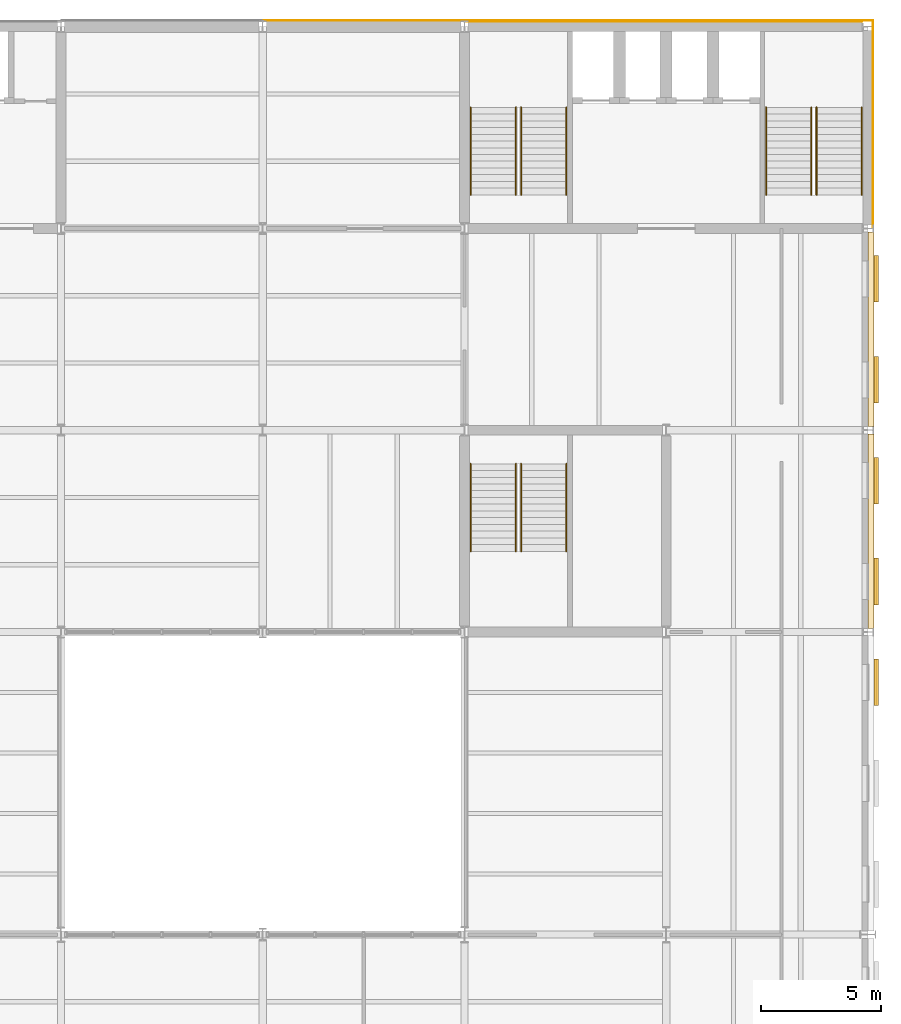
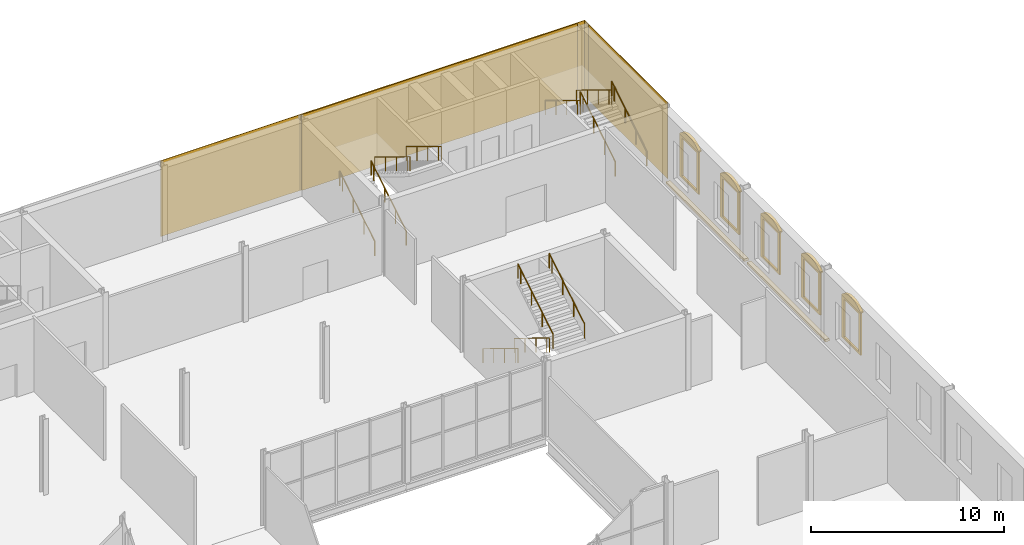
# One storey, part 52 of 57: 17 coverings, 12 railings.
"""IFC4 building model written with IfcOpenShell, lengths in metres."""

from ifc_helpers import new_model, si_unit, direction, frame, origin, origin_2d, place, context, subcontext, project, spatial, polyline, rectangle, circle, outline, extrude, material, layer, layer_set, type_object, element, save


model = new_model("IFC4")

# Units and contexts
model_context = context("Model", 3, precision=1e-05, world=origin(), true_north=direction((0.0, 1.0)))
body_context = subcontext(model_context, "Body", "Model", "MODEL_VIEW")
ifc_project = project(units=[si_unit("LENGTHUNIT", "METRE"), si_unit("AREAUNIT", "SQUARE_METRE"), si_unit("VOLUMEUNIT", "CUBIC_METRE"), si_unit("PLANEANGLEUNIT", "RADIAN"), si_unit("MASSUNIT", "GRAM", prefix="KILO")], contexts=[model_context])

# Site, building, storey
site_placement = place(None, origin())
site = spatial("IfcSite", under=ifc_project, at=site_placement, CompositionType="ELEMENT")
building_placement = place(site_placement, origin())
building = spatial("IfcBuilding", under=site, at=building_placement, Name="Galleria Vessillo Department Store", CompositionType="ELEMENT")
storey_placement = place(building_placement, frame((0.0, 0.0, 21.0)))
storey = spatial("IfcBuildingStorey", under=building, at=storey_placement, Name="L04", CompositionType="ELEMENT", Elevation=21.0)

# Coverings
ifc_material_1 = material(Name="Lime plaster (intonaco) ochre")
ifc_layer_1 = layer(ifc_material_1, 0.030029296875)
ifc_layer_set_1 = layer_set([ifc_layer_1], Name="Lime plaster (intonaco) ochre")
covering_type_1 = type_object("IfcCoveringType", Name="Lime plaster render 30 mm", PredefinedType="CLADDING", material=ifc_layer_set_1)
covering_1_placement = place(storey_placement, frame((96.60009765625, 63.264892578125, 0.0), z_axis=(0.0, 0.0, 1.0), x_axis=(1.0, 0.0, 0.0)))
element("IfcCovering", 1, at=covering_1_placement, inside=storey, type_object=covering_type_1, Name="Wall cladding S-PN-L04-08", PredefinedType="CLADDING", context=body_context, shape_type="SweptSolid", body=[
    extrude(rectangle(XDim=8.3330078125, YDim=0.030029296875, at=origin_2d()), origin(), (0.0, 0.0, 1.0), 4.800048828125),
])
covering_2_placement = place(storey_placement, frame((109.097412109375, 63.215087890625, 0.0), z_axis=(0.0, 0.0, 1.0), x_axis=(1.0, 0.0, 0.0)))
element("IfcCovering", 2, at=covering_2_placement, inside=storey, type_object=covering_type_1, Name="Wall cladding S-CW-TC-PARTY-L04", PredefinedType="CLADDING", context=body_context, shape_type="SweptSolid", body=[
    extrude(rectangle(XDim=16.527587890625, YDim=0.030029296875, at=origin_2d()), origin(), (0.0, 0.0, 1.0), 4.800048828125),
])
covering_3_placement = place(storey_placement, frame((109.29833984375, 63.264892578125, 0.0), z_axis=(0.0, 0.0, 1.0), x_axis=(1.0, 0.0, 0.0)))
element("IfcCovering", 3, at=covering_3_placement, inside=storey, type_object=covering_type_1, Name="Corner cladding L04 y=63 south/north face", PredefinedType="CLADDING", context=body_context, shape_type="SweptSolid", body=[
    extrude(rectangle(XDim=17.0634765625, YDim=0.030029296875, at=origin_2d()), origin(), (0.0, 0.0, 1.0), 4.800048828125),
])
covering_4_placement = place(storey_placement, frame((117.81494140625, 63.06494140625, 0.0), z_axis=(0.0, 0.0, 1.0), x_axis=(1.0, 0.0, 0.0)))
element("IfcCovering", 4, at=covering_4_placement, inside=storey, type_object=covering_type_1, Name="Corner cladding L04 y=63 east face", PredefinedType="CLADDING", context=body_context, shape_type="SweptSolid", body=[
    extrude(rectangle(XDim=0.030029296875, YDim=0.429931640625, at=origin_2d()), origin(), (0.0, 0.0, 1.0), 4.800048828125),
])
ifc_material_2 = material(Name="Botticino limestone ashlar", Category="masonry")
ifc_layer_2 = layer(ifc_material_2, 0.179931640625)
ifc_layer_set_2 = layer_set([ifc_layer_2], Name="Botticino limestone ashlar")
covering_type_2 = type_object("IfcCoveringType", Name="Limestone segmental window pediment 180 mm", PredefinedType="USERDEFINED", material=ifc_layer_set_2)
covering_5_placement = place(storey_placement, frame((117.85009765625, 0.0, 1.0), z_axis=(1.0, 0.0, 0.0), x_axis=(0.0, 1.0, 0.0)))
element("IfcCovering", 5, at=covering_5_placement, inside=storey, type_object=covering_type_2, Name="Segmental pediment W060", ObjectType="SEGMENTAL WINDOW PEDIMENT", PredefinedType="USERDEFINED", context=body_context, shape_type="SweptSolid", body=[
    extrude(outline(polyline([(34.72998046875, 2.52001953125), (36.669921875, 2.52001953125), (36.669921875, 2.60009765625), (36.50830078125, 2.717041015625), (36.3466796875, 2.805419921875), (36.18505859375, 2.87060546875), (36.023193359375, 2.915283203125), (35.861572265625, 2.94140625), (35.699951171875, 2.949951171875), (35.538330078125, 2.94140625), (35.376708984375, 2.915283203125), (35.215087890625, 2.87060546875), (35.05322265625, 2.805419921875), (34.8916015625, 2.717041015625), (34.72998046875, 2.60009765625), (34.72998046875, 2.52001953125)])), origin(), (0.0, 0.0, 1.0), 0.179931640625),
])
covering_6_placement = place(storey_placement, frame((117.85009765625, 0.0, 1.0), z_axis=(1.0, 0.0, 0.0), x_axis=(0.0, 1.0, 0.0)))
element("IfcCovering", 6, at=covering_6_placement, inside=storey, type_object=covering_type_2, Name="Segmental pediment W061", ObjectType="SEGMENTAL WINDOW PEDIMENT", PredefinedType="USERDEFINED", context=body_context, shape_type="SweptSolid", body=[
    extrude(outline(polyline([(38.929931640625, 2.52001953125), (40.869873046875, 2.52001953125), (40.869873046875, 2.60009765625), (40.708251953125, 2.717041015625), (40.546630859375, 2.805419921875), (40.385009765625, 2.87060546875), (40.22314453125, 2.915283203125), (40.0615234375, 2.94140625), (39.89990234375, 2.949951171875), (39.73828125, 2.94140625), (39.57666015625, 2.915283203125), (39.414794921875, 2.87060546875), (39.253173828125, 2.805419921875), (39.091552734375, 2.717041015625), (38.929931640625, 2.60009765625), (38.929931640625, 2.52001953125)])), origin(), (0.0, 0.0, 1.0), 0.179931640625),
])
covering_7_placement = place(storey_placement, frame((117.85009765625, 0.0, 1.0), z_axis=(1.0, 0.0, 0.0), x_axis=(0.0, 1.0, 0.0)))
element("IfcCovering", 7, at=covering_7_placement, inside=storey, type_object=covering_type_2, Name="Segmental pediment W062", ObjectType="SEGMENTAL WINDOW PEDIMENT", PredefinedType="USERDEFINED", context=body_context, shape_type="SweptSolid", body=[
    extrude(outline(polyline([(43.130126953125, 2.52001953125), (45.070068359375, 2.52001953125), (45.070068359375, 2.60009765625), (44.908447265625, 2.717041015625), (44.746826171875, 2.805419921875), (44.585205078125, 2.87060546875), (44.42333984375, 2.915283203125), (44.26171875, 2.94140625), (44.10009765625, 2.949951171875), (43.9384765625, 2.94140625), (43.77685546875, 2.915283203125), (43.614990234375, 2.87060546875), (43.453369140625, 2.805419921875), (43.291748046875, 2.717041015625), (43.130126953125, 2.60009765625), (43.130126953125, 2.52001953125)])), origin(), (0.0, 0.0, 1.0), 0.179931640625),
])
covering_8_placement = place(storey_placement, frame((117.85009765625, 0.0, 1.0), z_axis=(1.0, 0.0, 0.0), x_axis=(0.0, 1.0, 0.0)))
element("IfcCovering", 8, at=covering_8_placement, inside=storey, type_object=covering_type_2, Name="Segmental pediment W063", ObjectType="SEGMENTAL WINDOW PEDIMENT", PredefinedType="USERDEFINED", context=body_context, shape_type="SweptSolid", body=[
    extrude(outline(polyline([(47.330078125, 2.52001953125), (49.27001953125, 2.52001953125), (49.27001953125, 2.60009765625), (49.1083984375, 2.717041015625), (48.94677734375, 2.805419921875), (48.784912109375, 2.87060546875), (48.623291015625, 2.915283203125), (48.461669921875, 2.94140625), (48.300048828125, 2.949951171875), (48.138427734375, 2.94140625), (47.976806640625, 2.915283203125), (47.81494140625, 2.87060546875), (47.6533203125, 2.805419921875), (47.49169921875, 2.717041015625), (47.330078125, 2.60009765625), (47.330078125, 2.52001953125)])), origin(), (0.0, 0.0, 1.0), 0.179931640625),
])
covering_9_placement = place(storey_placement, frame((117.85009765625, 0.0, 1.0), z_axis=(1.0, 0.0, 0.0), x_axis=(0.0, 1.0, 0.0)))
element("IfcCovering", 9, at=covering_9_placement, inside=storey, type_object=covering_type_2, Name="Segmental pediment W064", ObjectType="SEGMENTAL WINDOW PEDIMENT", PredefinedType="USERDEFINED", context=body_context, shape_type="SweptSolid", body=[
    extrude(outline(polyline([(51.530029296875, 2.52001953125), (53.469970703125, 2.52001953125), (53.469970703125, 2.60009765625), (53.308349609375, 2.717041015625), (53.146728515625, 2.805419921875), (52.985107421875, 2.87060546875), (52.8232421875, 2.915283203125), (52.66162109375, 2.94140625), (52.5, 2.949951171875), (52.33837890625, 2.94140625), (52.1767578125, 2.915283203125), (52.014892578125, 2.87060546875), (51.853271484375, 2.805419921875), (51.691650390625, 2.717041015625), (51.530029296875, 2.60009765625), (51.530029296875, 2.52001953125)])), origin(), (0.0, 0.0, 1.0), 0.179931640625),
])
ifc_material_3 = material(Name="Botticino limestone ashlar", Category="masonry")
ifc_layer_3 = layer(ifc_material_3, 0.14990234375)
ifc_layer_set_3 = layer_set([ifc_layer_3], Name="Botticino limestone ashlar")
covering_type_3 = type_object("IfcCoveringType", Name="Limestone slab-edge fascia 150 mm", PredefinedType="CLADDING", material=ifc_layer_set_3)
covering_10_placement = place(storey_placement, frame((117.72509765625, 42.0, -0.14990234375), z_axis=(0.0, 0.0, 1.0), x_axis=(1.0, 0.0, 0.0)))
element("IfcCovering", 10, at=covering_10_placement, inside=storey, type_object=covering_type_3, Name="Slab-edge fascia SE-L03-04", PredefinedType="CLADDING", context=body_context, shape_type="SweptSolid", body=[
    extrude(rectangle(XDim=0.25, YDim=8.093017578125, at=origin_2d()), origin(), (0.0, 0.0, 1.0), 0.14990234375),
])
covering_11_placement = place(storey_placement, frame((117.72509765625, 50.39990234375, -0.14990234375), z_axis=(0.0, 0.0, 1.0), x_axis=(1.0, 0.0, 0.0)))
element("IfcCovering", 11, at=covering_11_placement, inside=storey, type_object=covering_type_3, Name="Slab-edge fascia SE-L03-05", PredefinedType="CLADDING", context=body_context, shape_type="SweptSolid", body=[
    extrude(rectangle(XDim=0.25, YDim=8.09326171875, at=origin_2d()), origin(), (0.0, 0.0, 1.0), 0.14990234375),
])
ifc_material_4 = material(Name="Botticino limestone ashlar", Category="masonry")
ifc_layer_4 = layer(ifc_material_4, 0.030029296875)
ifc_layer_set_4 = layer_set([ifc_layer_4], Name="Botticino limestone ashlar")
covering_type_4 = type_object("IfcCoveringType", Name="Limestone wall cladding 30 mm", PredefinedType="CLADDING", material=ifc_layer_set_4)
covering_12_placement = place(storey_placement, frame((117.815185546875, 58.739990234375, 0.0), z_axis=(0.0, 0.0, 1.0), x_axis=(1.0, 0.0, 0.0)))
element("IfcCovering", 12, at=covering_12_placement, inside=storey, type_object=covering_type_4, Name="Wall cladding S-CW-TC-EAST-L04", PredefinedType="CLADDING", context=body_context, shape_type="SweptSolid", body=[
    extrude(rectangle(XDim=0.030029296875, YDim=8.212890625, at=origin_2d()), origin(), (0.0, 0.0, 1.0), 4.800048828125),
])
ifc_material_5 = material(Name="Botticino limestone ashlar", Category="masonry")
ifc_layer_5 = layer(ifc_material_5, 0.10009765625)
ifc_layer_set_5 = layer_set([ifc_layer_5], Name="Botticino limestone ashlar")
covering_type_5 = type_object("IfcCoveringType", Name="Limestone window surround 100 mm", PredefinedType="CLADDING", material=ifc_layer_set_5)
covering_13_placement = place(storey_placement, frame((117.85009765625, 0.0, 1.0), z_axis=(1.0, 0.0, 0.0), x_axis=(0.0, 1.0, 0.0)))
element("IfcCovering", 13, at=covering_13_placement, inside=storey, type_object=covering_type_5, Name="Window surround W060", PredefinedType="CLADDING", context=body_context, shape_type="SweptSolid", body=[
    extrude(outline(polyline([(34.72998046875, -0.139892578125), (36.669921875, -0.139892578125), (36.669921875, 2.52001953125), (34.72998046875, 2.52001953125), (34.72998046875, -0.139892578125)]), holes=[polyline([(34.949951171875, 0.0), (36.449951171875, 0.0), (36.449951171875, 2.39990234375), (34.949951171875, 2.39990234375), (34.949951171875, 0.0)])]), origin(), (0.0, 0.0, 1.0), 0.10009765625),
])
covering_14_placement = place(storey_placement, frame((117.85009765625, 0.0, 1.0), z_axis=(1.0, 0.0, 0.0), x_axis=(0.0, 1.0, 0.0)))
element("IfcCovering", 14, at=covering_14_placement, inside=storey, type_object=covering_type_5, Name="Window surround W061", PredefinedType="CLADDING", context=body_context, shape_type="SweptSolid", body=[
    extrude(outline(polyline([(38.929931640625, -0.139892578125), (40.869873046875, -0.139892578125), (40.869873046875, 2.52001953125), (38.929931640625, 2.52001953125), (38.929931640625, -0.139892578125)]), holes=[polyline([(39.14990234375, 0.0), (40.64990234375, 0.0), (40.64990234375, 2.39990234375), (39.14990234375, 2.39990234375), (39.14990234375, 0.0)])]), origin(), (0.0, 0.0, 1.0), 0.10009765625),
])
covering_15_placement = place(storey_placement, frame((117.85009765625, 0.0, 1.0), z_axis=(1.0, 0.0, 0.0), x_axis=(0.0, 1.0, 0.0)))
element("IfcCovering", 15, at=covering_15_placement, inside=storey, type_object=covering_type_5, Name="Window surround W062", PredefinedType="CLADDING", context=body_context, shape_type="SweptSolid", body=[
    extrude(outline(polyline([(43.130126953125, -0.139892578125), (45.070068359375, -0.139892578125), (45.070068359375, 2.52001953125), (43.130126953125, 2.52001953125), (43.130126953125, -0.139892578125)]), holes=[polyline([(43.35009765625, 0.0), (44.85009765625, 0.0), (44.85009765625, 2.39990234375), (43.35009765625, 2.39990234375), (43.35009765625, 0.0)])]), origin(), (0.0, 0.0, 1.0), 0.10009765625),
])
covering_16_placement = place(storey_placement, frame((117.85009765625, 0.0, 1.0), z_axis=(1.0, 0.0, 0.0), x_axis=(0.0, 1.0, 0.0)))
element("IfcCovering", 16, at=covering_16_placement, inside=storey, type_object=covering_type_5, Name="Window surround W063", PredefinedType="CLADDING", context=body_context, shape_type="SweptSolid", body=[
    extrude(outline(polyline([(47.330078125, -0.139892578125), (49.27001953125, -0.139892578125), (49.27001953125, 2.52001953125), (47.330078125, 2.52001953125), (47.330078125, -0.139892578125)]), holes=[polyline([(47.550048828125, 0.0), (49.050048828125, 0.0), (49.050048828125, 2.39990234375), (47.550048828125, 2.39990234375), (47.550048828125, 0.0)])]), origin(), (0.0, 0.0, 1.0), 0.10009765625),
])
covering_17_placement = place(storey_placement, frame((117.85009765625, 0.0, 1.0), z_axis=(1.0, 0.0, 0.0), x_axis=(0.0, 1.0, 0.0)))
element("IfcCovering", 17, at=covering_17_placement, inside=storey, type_object=covering_type_5, Name="Window surround W064", PredefinedType="CLADDING", context=body_context, shape_type="SweptSolid", body=[
    extrude(outline(polyline([(51.530029296875, -0.139892578125), (53.469970703125, -0.139892578125), (53.469970703125, 2.52001953125), (51.530029296875, 2.52001953125), (51.530029296875, -0.139892578125)]), holes=[polyline([(51.75, 0.0), (53.25, 0.0), (53.25, 2.39990234375), (51.75, 2.39990234375), (51.75, 0.0)])]), origin(), (0.0, 0.0, 1.0), 0.10009765625),
])

# Railings
ifc_material_6 = material(Name="Stainless steel tube", Category="steel")
railing_type = type_object("IfcRailingType", Name="Stair handrail steel tube 48 mm", PredefinedType="HANDRAIL", material=ifc_material_6)
for number, where, name in (
    (18, (101.06005859375, 56.0, 0.17138671875), "Handrail ST8 L04 flight 1A"),
    (19, (102.93994140625, 56.0, 0.17138671875), "Handrail ST8 L04 flight 1B"),
):
    element("IfcRailing", number, at=place(storey_placement, frame(where)), inside=storey, type_object=railing_type, Name=name, PredefinedType="HANDRAIL", context=body_context, shape_type="SweptSolid", body=[
        extrude(circle(Radius=0.02392578125, at=origin_2d()), frame((0.0, 0.0, 0.89599609375), z_axis=(0.0, 0.852849614702, 0.52215661894), x_axis=(-1.0, 0.0, 0.0)), (0.0, 0.0, 1.0), 1.3134765625),
        extrude(circle(Radius=0.02392578125, at=origin_2d()), frame((0.0, 1.1201171875, 1.58154296875), z_axis=(0.0, 0.852798921012, 0.522239409008), x_axis=(-1.0, 0.0, 0.0)), (0.0, 0.0, 1.0), 1.313232421875),
        extrude(circle(Radius=0.02392578125, at=origin_2d()), frame((0.0, 2.239990234375, 2.267578125), z_axis=(0.0, 0.852932391421, 0.522021393877), x_axis=(-1.0, 0.0, 0.0)), (0.0, 0.0, 1.0), 1.313232421875),
        extrude(circle(Radius=0.02392578125, at=origin_2d()), frame((0.0, 3.360107421875, 2.953125), z_axis=(0.0, 0.852729557261, 0.522352660731), x_axis=(-1.0, 0.0, 0.0)), (0.0, 0.0, 1.0), 0.328125),
        extrude(circle(Radius=0.02099609375, at=origin_2d()), origin(), (0.0, 0.0, 1.0), 0.871826171875),
        extrude(circle(Radius=0.02099609375, at=origin_2d()), frame((0.0, 1.1201171875, 0.685791015625)), (0.0, 0.0, 1.0), 0.871826171875),
        extrude(circle(Radius=0.02099609375, at=origin_2d()), frame((0.0, 2.239990234375, 1.37158203125)), (0.0, 0.0, 1.0), 0.871826171875),
        extrude(circle(Radius=0.02099609375, at=origin_2d()), frame((0.0, 3.360107421875, 2.05712890625)), (0.0, 0.0, 1.0), 0.871826171875),
        extrude(circle(Radius=0.02099609375, at=origin_2d()), frame((0.0, 3.639892578125, 2.228515625)), (0.0, 0.0, 1.0), 0.871826171875),
    ])
for number, where, name in (
    (20, (105.0400390625, 59.639892578125, 2.5712890625), "Handrail ST8 L04 flight 2A"),
    (21, (103.16015625, 59.639892578125, 2.5712890625), "Handrail ST8 L04 flight 2B"),
):
    element("IfcRailing", number, at=place(storey_placement, frame(where)), inside=storey, type_object=railing_type, Name=name, PredefinedType="HANDRAIL", context=body_context, shape_type="SweptSolid", body=[
        extrude(circle(Radius=0.02392578125, at=origin_2d()), frame((0.0, 0.0, 0.89599609375), z_axis=(0.0, -0.852849614702, 0.52215661894), x_axis=(1.0, 0.0, 0.0)), (0.0, 0.0, 1.0), 1.3134765625),
        extrude(circle(Radius=0.02392578125, at=origin_2d()), frame((0.0, -1.1201171875, 1.58154296875), z_axis=(0.0, -0.852798921012, 0.522239409008), x_axis=(1.0, 0.0, 0.0)), (0.0, 0.0, 1.0), 1.313232421875),
        extrude(circle(Radius=0.02392578125, at=origin_2d()), frame((0.0, -2.239990234375, 2.267578125), z_axis=(0.0, -0.852932391421, 0.522021393877), x_axis=(1.0, 0.0, 0.0)), (0.0, 0.0, 1.0), 1.313232421875),
        extrude(circle(Radius=0.02392578125, at=origin_2d()), frame((0.0, -3.360107421875, 2.953125), z_axis=(0.0, -0.852729557261, 0.522352660731), x_axis=(1.0, 0.0, 0.0)), (0.0, 0.0, 1.0), 0.328125),
        extrude(circle(Radius=0.02099609375, at=origin_2d()), origin(), (0.0, 0.0, 1.0), 0.871826171875),
        extrude(circle(Radius=0.02099609375, at=origin_2d()), frame((0.0, -1.1201171875, 0.685791015625)), (0.0, 0.0, 1.0), 0.871826171875),
        extrude(circle(Radius=0.02099609375, at=origin_2d()), frame((0.0, -2.239990234375, 1.37158203125)), (0.0, 0.0, 1.0), 0.871826171875),
        extrude(circle(Radius=0.02099609375, at=origin_2d()), frame((0.0, -3.360107421875, 2.05712890625)), (0.0, 0.0, 1.0), 0.871826171875),
        extrude(circle(Radius=0.02099609375, at=origin_2d()), frame((0.0, -3.639892578125, 2.228515625)), (0.0, 0.0, 1.0), 0.871826171875),
    ])
for number, where, name in (
    (22, (115.4599609375, 56.0, 0.17138671875), "Handrail ST9 L04 flight 1A"),
    (23, (117.33984375, 56.0, 0.17138671875), "Handrail ST9 L04 flight 1B"),
):
    element("IfcRailing", number, at=place(storey_placement, frame(where)), inside=storey, type_object=railing_type, Name=name, PredefinedType="HANDRAIL", context=body_context, shape_type="SweptSolid", body=[
        extrude(circle(Radius=0.02392578125, at=origin_2d()), frame((0.0, 0.0, 0.89599609375), z_axis=(0.0, 0.852849614702, 0.52215661894), x_axis=(-1.0, 0.0, 0.0)), (0.0, 0.0, 1.0), 1.3134765625),
        extrude(circle(Radius=0.02392578125, at=origin_2d()), frame((0.0, 1.1201171875, 1.58154296875), z_axis=(0.0, 0.852798921012, 0.522239409008), x_axis=(-1.0, 0.0, 0.0)), (0.0, 0.0, 1.0), 1.313232421875),
        extrude(circle(Radius=0.02392578125, at=origin_2d()), frame((0.0, 2.239990234375, 2.267578125), z_axis=(0.0, 0.852932391421, 0.522021393877), x_axis=(-1.0, 0.0, 0.0)), (0.0, 0.0, 1.0), 1.313232421875),
        extrude(circle(Radius=0.02392578125, at=origin_2d()), frame((0.0, 3.360107421875, 2.953125), z_axis=(0.0, 0.852729557261, 0.522352660731), x_axis=(-1.0, 0.0, 0.0)), (0.0, 0.0, 1.0), 0.328125),
        extrude(circle(Radius=0.02099609375, at=origin_2d()), origin(), (0.0, 0.0, 1.0), 0.871826171875),
        extrude(circle(Radius=0.02099609375, at=origin_2d()), frame((0.0, 1.1201171875, 0.685791015625)), (0.0, 0.0, 1.0), 0.871826171875),
        extrude(circle(Radius=0.02099609375, at=origin_2d()), frame((0.0, 2.239990234375, 1.37158203125)), (0.0, 0.0, 1.0), 0.871826171875),
        extrude(circle(Radius=0.02099609375, at=origin_2d()), frame((0.0, 3.360107421875, 2.05712890625)), (0.0, 0.0, 1.0), 0.871826171875),
        extrude(circle(Radius=0.02099609375, at=origin_2d()), frame((0.0, 3.639892578125, 2.228515625)), (0.0, 0.0, 1.0), 0.871826171875),
    ])
for number, where, name in (
    (24, (115.239990234375, 59.639892578125, 2.5712890625), "Handrail ST9 L04 flight 2A"),
    (25, (113.360107421875, 59.639892578125, 2.5712890625), "Handrail ST9 L04 flight 2B"),
    (26, (102.93994140625, 44.800048828125, 0.17138671875), "Handrail ST12 L04 flight 1A"),
    (27, (101.06005859375, 44.800048828125, 0.17138671875), "Handrail ST12 L04 flight 1B"),
):
    element("IfcRailing", number, at=place(storey_placement, frame(where)), inside=storey, type_object=railing_type, Name=name, PredefinedType="HANDRAIL", context=body_context, shape_type="SweptSolid", body=[
        extrude(circle(Radius=0.02392578125, at=origin_2d()), frame((0.0, 0.0, 0.89599609375), z_axis=(0.0, -0.852849614702, 0.52215661894), x_axis=(1.0, 0.0, 0.0)), (0.0, 0.0, 1.0), 1.3134765625),
        extrude(circle(Radius=0.02392578125, at=origin_2d()), frame((0.0, -1.1201171875, 1.58154296875), z_axis=(0.0, -0.852798921012, 0.522239409008), x_axis=(1.0, 0.0, 0.0)), (0.0, 0.0, 1.0), 1.313232421875),
        extrude(circle(Radius=0.02392578125, at=origin_2d()), frame((0.0, -2.239990234375, 2.267578125), z_axis=(0.0, -0.852932391421, 0.522021393877), x_axis=(1.0, 0.0, 0.0)), (0.0, 0.0, 1.0), 1.313232421875),
        extrude(circle(Radius=0.02392578125, at=origin_2d()), frame((0.0, -3.360107421875, 2.953125), z_axis=(0.0, -0.852729557261, 0.522352660731), x_axis=(1.0, 0.0, 0.0)), (0.0, 0.0, 1.0), 0.328125),
        extrude(circle(Radius=0.02099609375, at=origin_2d()), origin(), (0.0, 0.0, 1.0), 0.871826171875),
        extrude(circle(Radius=0.02099609375, at=origin_2d()), frame((0.0, -1.1201171875, 0.685791015625)), (0.0, 0.0, 1.0), 0.871826171875),
        extrude(circle(Radius=0.02099609375, at=origin_2d()), frame((0.0, -2.239990234375, 1.37158203125)), (0.0, 0.0, 1.0), 0.871826171875),
        extrude(circle(Radius=0.02099609375, at=origin_2d()), frame((0.0, -3.360107421875, 2.05712890625)), (0.0, 0.0, 1.0), 0.871826171875),
        extrude(circle(Radius=0.02099609375, at=origin_2d()), frame((0.0, -3.639892578125, 2.228515625)), (0.0, 0.0, 1.0), 0.871826171875),
    ])
for number, where, name in (
    (28, (103.16015625, 41.159912109375, 2.5712890625), "Handrail ST12 L04 flight 2A"),
    (29, (105.0400390625, 41.159912109375, 2.5712890625), "Handrail ST12 L04 flight 2B"),
):
    element("IfcRailing", number, at=place(storey_placement, frame(where)), inside=storey, type_object=railing_type, Name=name, PredefinedType="HANDRAIL", context=body_context, shape_type="SweptSolid", body=[
        extrude(circle(Radius=0.02392578125, at=origin_2d()), frame((0.0, 0.0, 0.89599609375), z_axis=(0.0, 0.852849614702, 0.52215661894), x_axis=(-1.0, 0.0, 0.0)), (0.0, 0.0, 1.0), 1.3134765625),
        extrude(circle(Radius=0.02392578125, at=origin_2d()), frame((0.0, 1.1201171875, 1.58154296875), z_axis=(0.0, 0.852798921012, 0.522239409008), x_axis=(-1.0, 0.0, 0.0)), (0.0, 0.0, 1.0), 1.313232421875),
        extrude(circle(Radius=0.02392578125, at=origin_2d()), frame((0.0, 2.239990234375, 2.267578125), z_axis=(0.0, 0.852932391421, 0.522021393877), x_axis=(-1.0, 0.0, 0.0)), (0.0, 0.0, 1.0), 1.313232421875),
        extrude(circle(Radius=0.02392578125, at=origin_2d()), frame((0.0, 3.360107421875, 2.953125), z_axis=(0.0, 0.852729557261, 0.522352660731), x_axis=(-1.0, 0.0, 0.0)), (0.0, 0.0, 1.0), 0.328125),
        extrude(circle(Radius=0.02099609375, at=origin_2d()), origin(), (0.0, 0.0, 1.0), 0.871826171875),
        extrude(circle(Radius=0.02099609375, at=origin_2d()), frame((0.0, 1.1201171875, 0.685791015625)), (0.0, 0.0, 1.0), 0.871826171875),
        extrude(circle(Radius=0.02099609375, at=origin_2d()), frame((0.0, 2.239990234375, 1.37158203125)), (0.0, 0.0, 1.0), 0.871826171875),
        extrude(circle(Radius=0.02099609375, at=origin_2d()), frame((0.0, 3.360107421875, 2.05712890625)), (0.0, 0.0, 1.0), 0.871826171875),
        extrude(circle(Radius=0.02099609375, at=origin_2d()), frame((0.0, 3.639892578125, 2.228515625)), (0.0, 0.0, 1.0), 0.871826171875),
    ])

save(model, "model.ifc")
